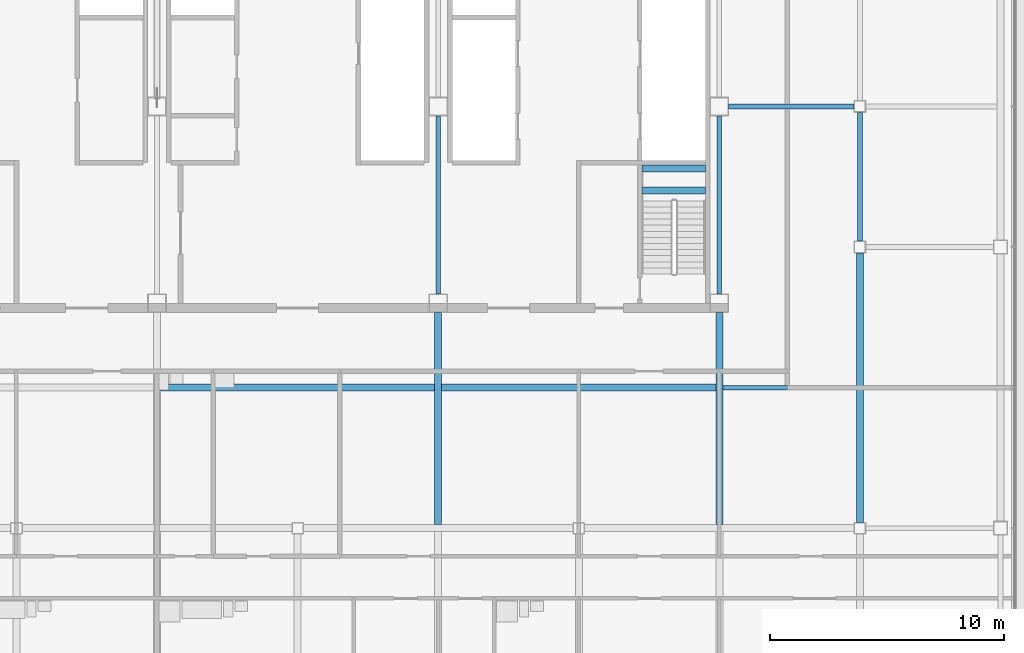
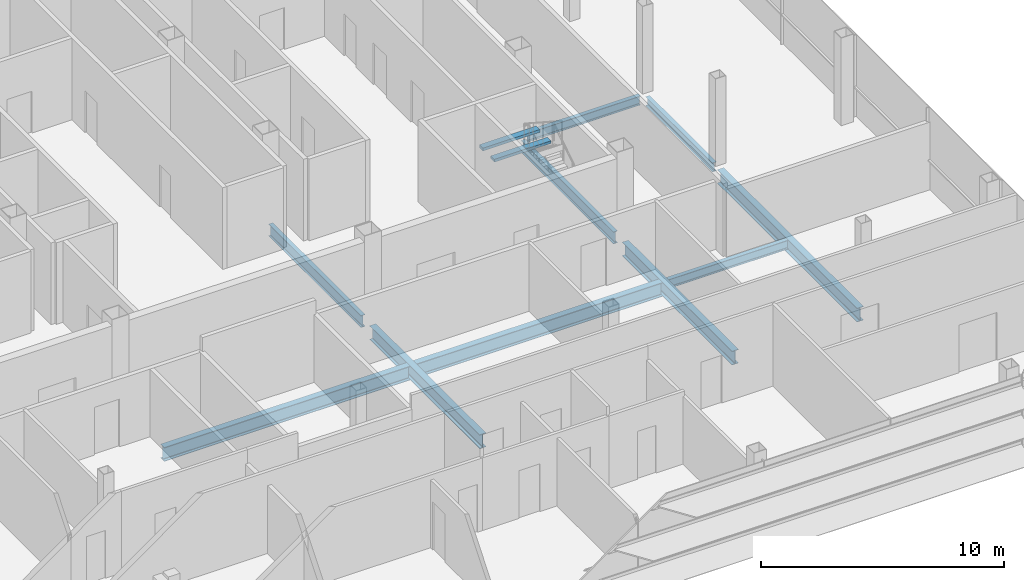
# One storey, part 11 of 29: 12 beams.
"""IFC4 building model written with IfcOpenShell, lengths in metres."""

import ifcopenshell
import ifcopenshell.guid

model = None  # the IFC model being written
_history = None  # IfcOwnerHistory: only IFC2X3 demands one
_inside = {}  # id of a spatial element -> (the spatial element, [elements in it])
_under = {}  # id of a project, library or spatial element -> (it, [spatial elements below it])
_declared = {}  # id of a project -> (the project, [libraries it declares])
_typed = {}  # id of a type object -> (the type object, [elements of that type])
_made_of = {}  # id of a material, layer set ... -> (it, [elements and type objects made of it])


def new_model(schema):
    """Start an empty IFC model of exactly this schema.

    Asked for "IFC4X3", IfcOpenShell would pick the latest addendum, in which some entities
    have other attributes; the version numbers below select the first issue.
    IFC2X3 requires an IfcOwnerHistory on every rooted entity: one is made here for all.
    """
    global model, _history
    if schema == "IFC4X3":
        model = ifcopenshell.file(schema_version=(4, 3, 0, 0))
    else:
        model = ifcopenshell.file(schema=schema)
    _inside.clear()
    _under.clear()
    _declared.clear()
    _typed.clear()
    _made_of.clear()
    _history = None
    if model.schema == "IFC2X3":
        org = make("IfcOrganization", Name="unknown")
        user = make(
            "IfcPersonAndOrganization",
            ThePerson=make("IfcPerson", FamilyName="unknown"),
            TheOrganization=org,
        )
        app = make(
            "IfcApplication",
            ApplicationDeveloper=org,
            Version="unknown",
            ApplicationFullName="unknown",
            ApplicationIdentifier="unknown",
        )
        _history = make(
            "IfcOwnerHistory",
            OwningUser=user,
            OwningApplication=app,
            ChangeAction="ADDED",
            CreationDate=0,
        )
    return model


def make(cls, **values):
    """One entity of the class cls with the attributes given. An attribute that is None is left unset."""
    return model.create_entity(
        cls, **{name: value for name, value in values.items() if value is not None}
    )


def rooted(cls, **values):
    """An entity with a GlobalId (a new one), such as an element, a storey or a relation."""
    return make(cls, GlobalId=ifcopenshell.guid.new(), OwnerHistory=_history, **values)


def si_unit(unit_type, name, prefix=None):
    """IfcSIUnit, for example si_unit("LENGTHUNIT", "METRE", prefix="MILLI")."""
    return make("IfcSIUnit", UnitType=unit_type, Prefix=prefix, Name=name)


def assignment(units):
    """IfcUnitAssignment: the units of a project."""
    return None if units is None else make("IfcUnitAssignment", Units=units)


def point(xyz):
    """IfcCartesianPoint."""
    return None if xyz is None else make("IfcCartesianPoint", Coordinates=xyz)


def direction(xyz):
    """IfcDirection."""
    return None if xyz is None else make("IfcDirection", DirectionRatios=xyz)


def frame(location, z_axis=None, x_axis=None):
    """IfcAxis2Placement3D, a coordinate frame: its origin and axes. An axis left out is left unset."""
    return make(
        "IfcAxis2Placement3D",
        Location=point(location),
        Axis=direction(z_axis),
        RefDirection=direction(x_axis),
    )


def frame_2d(location, x_axis=None):
    """IfcAxis2Placement2D, a coordinate frame in the plane: its origin and x axis."""
    return make(
        "IfcAxis2Placement2D", Location=point(location), RefDirection=direction(x_axis)
    )


def origin():
    """The frame at (0, 0, 0) with its axes left unset."""
    return frame((0.0, 0.0, 0.0))


def origin_2d():
    """The frame at (0, 0) in the plane with its x axis left unset."""
    return frame_2d((0.0, 0.0))


def place(relative_to, where):
    """IfcLocalPlacement: puts the frame where relative to a parent placement (None: the world)."""
    return make(
        "IfcLocalPlacement", PlacementRelTo=relative_to, RelativePlacement=where
    )


def context(
    kind, dimensions, precision=None, world=None, true_north=None, identifier=None
):
    """IfcGeometricRepresentationContext, for example the 3D "Model" context."""
    return make(
        "IfcGeometricRepresentationContext",
        ContextIdentifier=identifier,
        ContextType=kind,
        CoordinateSpaceDimension=dimensions,
        Precision=precision,
        WorldCoordinateSystem=world,
        TrueNorth=true_north,
    )


def subcontext(parent, identifier, kind, view, scale=None):
    """IfcGeometricRepresentationSubContext, for example "Body" below "Model"."""
    return make(
        "IfcGeometricRepresentationSubContext",
        ContextIdentifier=identifier,
        ContextType=kind,
        ParentContext=parent,
        TargetScale=scale,
        TargetView=view,
    )


def project(units=None, contexts=None):
    """IfcProject with its units and contexts."""
    return rooted(
        "IfcProject",
        Name="project",
        RepresentationContexts=contexts,
        UnitsInContext=assignment(units),
    )


def spatial(cls, under=None, at=None, **own):
    """A site, building, storey or space (cls), placed at a placement, below another one or the project."""
    s = rooted(cls, ObjectPlacement=at, **own)
    if under is not None:
        _under.setdefault(under.id(), (under, []))[1].append(s)
    return s


def profile(cls, at=None, kind="AREA", **sizes):
    """A parametric profile (cls). Its sizes go by their IFC names, for example OverallWidth=200.0."""
    return make(cls, ProfileType=kind, Position=at, **sizes)


def rectangle(**sizes):
    """IfcRectangleProfileDef."""
    return profile("IfcRectangleProfileDef", **sizes)


def i_section(**sizes):
    """IfcIShapeProfileDef."""
    return profile("IfcIShapeProfileDef", **sizes)


def extrude(swept, where, along, depth):
    """IfcExtrudedAreaSolid: the profile swept, set in the frame where, extruded along a direction by depth."""
    return make(
        "IfcExtrudedAreaSolid",
        SweptArea=swept,
        Position=where,
        ExtrudedDirection=direction(along),
        Depth=depth,
    )


def shape(context_of_items, identifier, shape_type, items):
    """IfcShapeRepresentation: the items that make up one representation, for example the "Body"."""
    return make(
        "IfcShapeRepresentation",
        ContextOfItems=context_of_items,
        RepresentationIdentifier=identifier,
        RepresentationType=shape_type,
        Items=items,
    )


def material(Name=None, Category=None):
    """IfcMaterial."""
    return make("IfcMaterial", Name=Name, Category=Category)


def material_profile(
    of_material, cross_section, Name=None, Category=None, Priority=None
):
    """IfcMaterialProfile: a cross section and its material."""
    return make(
        "IfcMaterialProfile",
        Name=Name,
        Material=of_material,
        Profile=cross_section,
        Priority=Priority,
        Category=Category,
    )


def profile_set(profiles, Name=None, composite=None):
    """IfcMaterialProfileSet."""
    return make(
        "IfcMaterialProfileSet",
        Name=Name,
        MaterialProfiles=profiles,
        CompositeProfile=composite,
    )


def made_of(thing, what):
    """Note that an element or type object is made of a material, layer set ...; save() writes the relation."""
    if what is not None:
        _made_of.setdefault(what.id(), (what, []))[1].append(thing)
    return thing


def type_object(cls, material=None, **own):
    """A type object (cls), such as IfcWallType, which elements share."""
    return made_of(rooted(cls, **own), material)


def element(
    cls,
    number,
    at=None,
    inside=None,
    cuts=None,
    type_object=None,
    material=None,
    context=None,
    identifier="Body",
    shape_type=None,
    held_by="IfcProductDefinitionShape",
    body=None,
    shapes=None,
    **own,
):
    """One element of the class cls, such as IfcWall. Its Tag is "e" and its number.

    at: its placement. inside: the storey or other place that contains it. cuts: it is an
    opening in that element (IfcRelVoidsElement). A single representation is given by context,
    identifier, shape_type and body (its items); several are given by shapes. held_by: the class
    of the entity that holds the representations. save() writes the other relations.
    """
    e = rooted(cls, Tag="e%d" % number, ObjectPlacement=at, **own)
    if body is not None:
        shapes = [shape(context, identifier, shape_type, body)]
    if shapes is not None:
        e.Representation = make(held_by, Representations=shapes)
    if inside is not None:
        _inside.setdefault(inside.id(), (inside, []))[1].append(e)
    if cuts is not None:
        rooted(
            "IfcRelVoidsElement", RelatingBuildingElement=cuts, RelatedOpeningElement=e
        )
    if type_object is not None:
        _typed.setdefault(type_object.id(), (type_object, []))[1].append(e)
    return made_of(e, material)


def aggregate(whole, parts):
    """IfcRelAggregates: a whole, such as a stair, and the parts it consists of."""
    return rooted("IfcRelAggregates", RelatingObject=whole, RelatedObjects=parts)


def save(model, path):
    """Write the relations noted so far, then the file.

    IfcRelAggregates (storeys below a building ...), IfcRelContainedInSpatialStructure (elements
    in a storey), IfcRelDefinesByType, IfcRelAssociatesMaterial and IfcRelDeclares: one each for
    every whole, place, type object, material and project.
    """
    for whole, parts in _under.values():
        aggregate(whole, parts)
    for where, things in _inside.values():
        rooted(
            "IfcRelContainedInSpatialStructure",
            RelatedElements=things,
            RelatingStructure=where,
        )
    for kind, things in _typed.values():
        rooted("IfcRelDefinesByType", RelatedObjects=things, RelatingType=kind)
    for what, things in _made_of.values():
        rooted("IfcRelAssociatesMaterial", RelatedObjects=things, RelatingMaterial=what)
    for by, libraries in _declared.values():
        rooted("IfcRelDeclares", RelatingContext=by, RelatedDefinitions=libraries)
    model.write(path)


model = new_model("IFC4")

# Units and contexts
model_context = context("Model", 3, precision=1e-05, world=origin(), true_north=direction((0.0, 1.0)))
body_context = subcontext(model_context, "Body", "Model", "MODEL_VIEW")
ifc_project = project(units=[si_unit("LENGTHUNIT", "METRE"), si_unit("AREAUNIT", "SQUARE_METRE"), si_unit("VOLUMEUNIT", "CUBIC_METRE"), si_unit("PLANEANGLEUNIT", "RADIAN"), si_unit("MASSUNIT", "GRAM", prefix="KILO")], contexts=[model_context])

# Site, building, storey
site_placement = place(None, origin())
site = spatial("IfcSite", under=ifc_project, at=site_placement, CompositionType="ELEMENT")
building_placement = place(site_placement, origin())
building = spatial("IfcBuilding", under=site, at=building_placement, Name="Sorahane Residences", CompositionType="ELEMENT")
storey_placement = place(building_placement, frame((0.0, 0.0, 277.39990234375)))
storey = spatial("IfcBuildingStorey", under=building, at=storey_placement, Name="L66", CompositionType="ELEMENT", Elevation=277.39990234375)

# Beams
ifc_material_1 = material(Name="Concrete C40", Category="concrete")
ifc_material_profile_1 = material_profile(ifc_material_1, rectangle(XDim=0.300048828125, YDim=0.139892578125, at=origin_2d()), Name="300x140")
ifc_profile_set_1 = profile_set([ifc_material_profile_1], Name="Concrete C40")
beam_type_1 = type_object("IfcBeamType", Name="RC landing beam 300 x 140 Concrete C40", PredefinedType="BEAM", material=ifc_profile_set_1)
for number, where, z_axis, x_axis, name in (
    (1, (38.699951171875, 26.419921875, 1.93017578125), (1.0, 0.0, 0.0), (0.0, 1.0, 0.0), "Landing beam"),
    (2, (38.699951171875, 27.35009765625, 1.93017578125), (1.0, 0.0, 0.0), (0.0, 1.0, 0.0), "Landing beam"),
):
    element("IfcBeam", number, at=place(storey_placement, frame(where, z_axis=z_axis, x_axis=x_axis)), inside=storey, type_object=beam_type_1, Name=name, PredefinedType="BEAM", context=body_context, shape_type="SweptSolid", body=[
        extrude(rectangle(XDim=0.300048828125, YDim=0.139892578125, at=origin_2d()), origin(), (0.0, 0.0, 1.0), 2.699951171875),
    ])
ifc_material_2 = material(Name="Steel Q355B", Category="steel")
ifc_material_profile_2 = material_profile(ifc_material_2, i_section(OverallWidth=0.199951171875, OverallDepth=0.449951171875, WebThickness=0.009033203125, FlangeThickness=0.013916015625, FilletRadius=0.02001953125, at=origin_2d()), Name="HN 450x200x9x14")
ifc_profile_set_2 = profile_set([ifc_material_profile_2], Name="Steel Q355B")
beam_type_2 = type_object("IfcBeamType", Name="Steel floor beam HN 450x200x9x14 Q355B", PredefinedType="BEAM", material=ifc_profile_set_2)
beam_1_placement = place(storey_placement, frame((48.0, 24.25, -0.40478515625), z_axis=(0.0, 1.0, 0.0), x_axis=(-1.0, 0.0, 0.0)))
element("IfcBeam", 3, at=beam_1_placement, inside=storey, type_object=beam_type_2, Name="Beam L66 060", PredefinedType="BEAM", context=body_context, shape_type="SweptSolid", body=[
    extrude(i_section(OverallWidth=0.199951171875, OverallDepth=0.449951171875, WebThickness=0.009033203125, FlangeThickness=0.013916015625, FilletRadius=0.02001953125, at=origin_2d()), origin(), (0.0, 0.0, 1.0), 5.5),
])
beam_2_placement = place(storey_placement, frame((42.14990234375, 18.0, -0.40478515625), z_axis=(1.0, 0.0, 0.0), x_axis=(0.0, 1.0, 0.0)))
element("IfcBeam", 4, at=beam_2_placement, inside=storey, type_object=beam_type_2, Name="Beam L66 083", PredefinedType="BEAM", context=body_context, shape_type="SweptSolid", body=[
    extrude(i_section(OverallWidth=0.199951171875, OverallDepth=0.449951171875, WebThickness=0.009033203125, FlangeThickness=0.013916015625, FilletRadius=0.02001953125, at=origin_2d()), origin(), (0.0, 0.0, 1.0), 5.7001953125),
])
beam_3_placement = place(storey_placement, frame((42.39990234375, 30.0, -0.40478515625), z_axis=(1.0, 0.0, 0.0), x_axis=(0.0, 1.0, 0.0)))
element("IfcBeam", 5, at=beam_3_placement, inside=storey, type_object=beam_type_2, Name="Beam L66 087", PredefinedType="BEAM", context=body_context, shape_type="SweptSolid", body=[
    extrude(i_section(OverallWidth=0.199951171875, OverallDepth=0.449951171875, WebThickness=0.009033203125, FlangeThickness=0.013916015625, FilletRadius=0.02001953125, at=origin_2d()), origin(), (0.0, 0.0, 1.0), 5.35009765625),
])
ifc_material_3 = material(Name="Steel Q355B", Category="steel")
ifc_material_profile_3 = material_profile(ifc_material_3, i_section(OverallWidth=0.199951171875, OverallDepth=0.60009765625, WebThickness=0.010986328125, FlangeThickness=0.01708984375, FilletRadius=0.02392578125, at=origin_2d()), Name="HN 600x200x11x17")
ifc_profile_set_3 = profile_set([ifc_material_profile_3], Name="Steel Q355B")
beam_type_3 = type_object("IfcBeamType", Name="Steel floor beam HN 600x200x11x17 Q355B", PredefinedType="BEAM", material=ifc_profile_set_3)
for number, where, z_axis, x_axis, name in (
    (6, (30.0, 22.0, -0.47998046875), (0.0, 1.0, 0.0), (-1.0, 0.0, 0.0), "Beam L66 046"),
    (7, (42.0, 22.0, -0.47998046875), (0.0, 1.0, 0.0), (-1.0, 0.0, 0.0), "Beam L66 054"),
):
    element("IfcBeam", number, at=place(storey_placement, frame(where, z_axis=z_axis, x_axis=x_axis)), inside=storey, type_object=beam_type_3, Name=name, PredefinedType="BEAM", context=body_context, shape_type="SweptSolid", body=[
        extrude(i_section(OverallWidth=0.199951171875, OverallDepth=0.60009765625, WebThickness=0.010986328125, FlangeThickness=0.01708984375, FilletRadius=0.02392578125, at=origin_2d()), origin(), (0.0, 0.0, 1.0), 7.60009765625),
    ])
ifc_material_4 = material(Name="Steel Q355B", Category="steel")
ifc_material_profile_4 = material_profile(ifc_material_4, i_section(OverallWidth=0.300048828125, OverallDepth=0.699951171875, WebThickness=0.012939453125, FlangeThickness=0.02392578125, FilletRadius=0.028076171875, at=origin_2d()), Name="HN 700x300x13x24")
ifc_profile_set_4 = profile_set([ifc_material_profile_4], Name="Steel Q355B")
beam_type_4 = type_object("IfcBeamType", Name="Steel floor beam HN 700x300x13x24 Q355B", PredefinedType="BEAM", material=ifc_profile_set_4)
for number, where, z_axis, x_axis, name in (
    (8, (30.0, 12.14990234375, -0.52978515625), (0.0, 1.0, 0.0), (-1.0, 0.0, 0.0), "Beam L66 045"),
    (9, (42.0, 12.14990234375, -0.52978515625), (0.0, 1.0, 0.0), (-1.0, 0.0, 0.0), "Beam L66 053"),
):
    element("IfcBeam", number, at=place(storey_placement, frame(where, z_axis=z_axis, x_axis=x_axis)), inside=storey, type_object=beam_type_4, Name=name, PredefinedType="BEAM", context=body_context, shape_type="SweptSolid", body=[
        extrude(i_section(OverallWidth=0.300048828125, OverallDepth=0.699951171875, WebThickness=0.012939453125, FlangeThickness=0.02392578125, FilletRadius=0.028076171875, at=origin_2d()), origin(), (0.0, 0.0, 1.0), 9.050048828125),
    ])
beam_4_placement = place(storey_placement, frame((48.0, 12.25, -0.52978515625), z_axis=(0.0, 1.0, 0.0), x_axis=(-1.0, 0.0, 0.0)))
element("IfcBeam", 10, at=beam_4_placement, inside=storey, type_object=beam_type_4, Name="Beam L66 059", PredefinedType="BEAM", context=body_context, shape_type="SweptSolid", body=[
    extrude(i_section(OverallWidth=0.300048828125, OverallDepth=0.699951171875, WebThickness=0.012939453125, FlangeThickness=0.02392578125, FilletRadius=0.028076171875, at=origin_2d()), origin(), (0.0, 0.0, 1.0), 11.5),
])
for number, where, z_axis, x_axis, name in (
    (11, (18.14990234375, 18.0, -0.52978515625), (1.0, 0.0, 0.0), (0.0, 1.0, 0.0), "Beam L66 081"),
    (12, (30.14990234375, 18.0, -0.52978515625), (1.0, 0.0, 0.0), (0.0, 1.0, 0.0), "Beam L66 082"),
):
    element("IfcBeam", number, at=place(storey_placement, frame(where, z_axis=z_axis, x_axis=x_axis)), inside=storey, type_object=beam_type_4, Name=name, PredefinedType="BEAM", context=body_context, shape_type="SweptSolid", body=[
        extrude(i_section(OverallWidth=0.300048828125, OverallDepth=0.699951171875, WebThickness=0.012939453125, FlangeThickness=0.02392578125, FilletRadius=0.028076171875, at=origin_2d()), origin(), (0.0, 0.0, 1.0), 11.7001953125),
    ])

save(model, "model.ifc")
